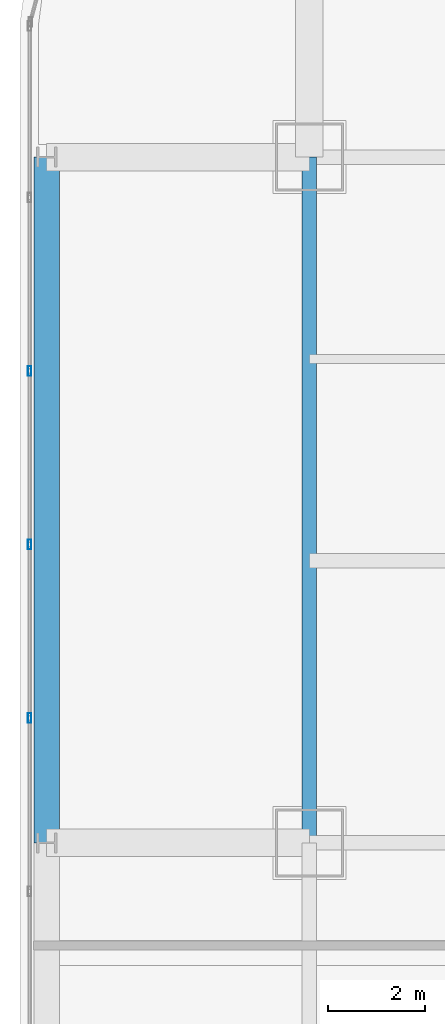
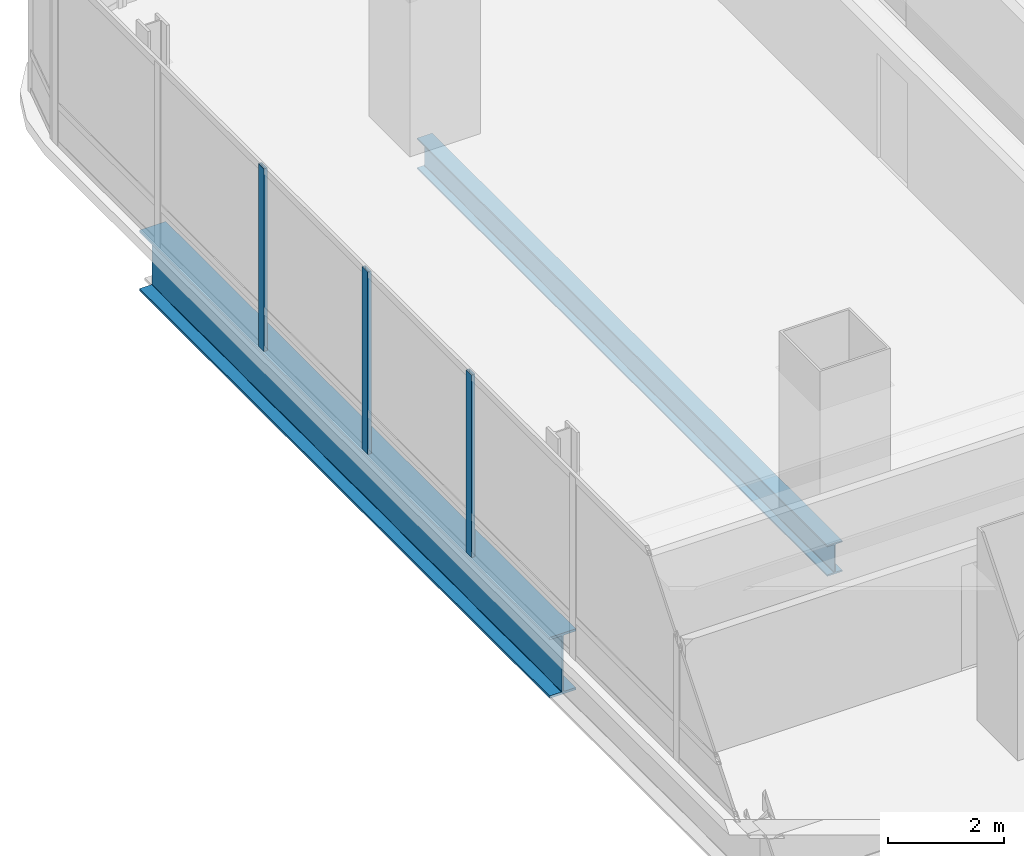
# One storey, part 12 of 37: 3 members, 2 beams, 1 element without a shape of its own.
"""IFC4 building model written with IfcOpenShell, lengths in metres."""

from ifc_helpers import new_model, si_unit, direction, frame, origin, origin_2d, place, context, subcontext, project, spatial, hollow_rectangle, i_section, extrude, material, material_profile, profile_set, type_object, element, aggregate, save


model = new_model("IFC4")

# Units and contexts
model_context = context("Model", 3, precision=1e-05, world=origin(), true_north=direction((0.0, 1.0)))
body_context = subcontext(model_context, "Body", "Model", "MODEL_VIEW")
ifc_project = project(units=[si_unit("LENGTHUNIT", "METRE"), si_unit("AREAUNIT", "SQUARE_METRE"), si_unit("VOLUMEUNIT", "CUBIC_METRE"), si_unit("PLANEANGLEUNIT", "RADIAN"), si_unit("MASSUNIT", "GRAM", prefix="KILO")], contexts=[model_context])

# Site, building, storey
site_placement = place(None, origin())
site = spatial("IfcSite", under=ifc_project, at=site_placement, CompositionType="ELEMENT")
building_placement = place(site_placement, origin())
building = spatial("IfcBuilding", under=site, at=building_placement, Name="Punatoya Terracotta Tower", CompositionType="ELEMENT")
storey_placement = place(building_placement, frame((0.0, 0.0, 164.10009765625)))
storey = spatial("IfcBuildingStorey", under=building, at=storey_placement, Name="L38", CompositionType="ELEMENT", Elevation=164.10009765625)

# Beams
ifc_material_1 = material(Name="Steel S355", Category="steel")
ifc_material_profile_1 = material_profile(ifc_material_1, i_section(OverallWidth=0.300048828125, OverallDepth=0.64990234375, WebThickness=0.01611328125, FlangeThickness=0.031005859375, FilletRadius=0.01806640625, at=origin_2d()))
ifc_profile_set_1 = profile_set([ifc_material_profile_1], Name="Steel S355")
beam_type_1 = type_object("IfcBeamType", Name="BM-PRI-650", PredefinedType="BEAM", material=ifc_profile_set_1)
beam_1_placement = place(storey_placement, frame((-19.10009765625, 3.39990234375, -0.545166015625), z_axis=(0.0, 1.0, 0.0), x_axis=(-1.0, 0.0, 0.0)))
element("IfcBeam", 1, at=beam_1_placement, inside=storey, type_object=beam_type_1, Name="BM-L38-RG-W3", PredefinedType="BEAM", context=body_context, shape_type="SweptSolid", body=[
    extrude(i_section(OverallWidth=0.300048828125, OverallDepth=0.64990234375, WebThickness=0.01611328125, FlangeThickness=0.031005859375, FilletRadius=0.01806640625, at=origin_2d()), origin(), (0.0, 0.0, 1.0), 14.10009765625),
])
ifc_material_2 = material(Name="Steel S460", Category="steel")
ifc_material_profile_2 = material_profile(ifc_material_2, i_section(OverallWidth=0.52001953125, OverallDepth=1.280029296875, WebThickness=0.031982421875, FlangeThickness=0.050048828125, FilletRadius=0.01806640625, at=origin_2d()))
ifc_profile_set_2 = profile_set([ifc_material_profile_2], Name="Steel S460")
beam_type_2 = type_object("IfcBeamType", Name="BM-TG-NCK", PredefinedType="BEAM", material=ifc_profile_set_2)
beam_2_placement = place(storey_placement, frame((-24.5, 3.39990234375, -0.860107421875), z_axis=(0.0, 1.0, 0.0), x_axis=(-1.0, 0.0, 0.0)))
element("IfcBeam", 2, at=beam_2_placement, inside=storey, type_object=beam_type_2, Name="BM-L38-PER-W3", PredefinedType="BEAM", context=body_context, shape_type="SweptSolid", body=[
    extrude(i_section(OverallWidth=0.52001953125, OverallDepth=1.280029296875, WebThickness=0.031982421875, FlangeThickness=0.050048828125, FilletRadius=0.01806640625, at=origin_2d()), origin(), (0.0, 0.0, 1.0), 14.10009765625),
])

# Curtain wall, members
ifc_material_3 = material(Name="Aluminium 6063-T6 + Double Low-E Glass", Category="aluminium")
curtain_wall_type = type_object("IfcCurtainWallType", Name="CW-M2", PredefinedType="NOTDEFINED", material=ifc_material_3)
curtain_wall_placement = place(storey_placement, origin())
curtain_wall = element("IfcCurtainWall", 3, at=curtain_wall_placement, inside=storey, type_object=curtain_wall_type, Name="L38 Curtain Wall CW-L38-W13-1", PredefinedType="NOTDEFINED")
ifc_material_4 = material(Name="Aluminium 6063-T6", Category="aluminium")
ifc_material_profile_3 = material_profile(ifc_material_4, hollow_rectangle(XDim=0.072021484375, YDim=0.195068359375, WallThickness=0.00439453125, at=origin_2d()))
ifc_profile_set_3 = profile_set([ifc_material_profile_3], Name="Aluminium 6063-T6")
member_type = type_object("IfcMemberType", Name="CW-MUL-M2", PredefinedType="MULLION", material=ifc_profile_set_3)
member_1_placement = place(storey_placement, frame((-24.85009765625, 13.10205078125, 0.0), z_axis=(0.0, 0.0, 1.0), x_axis=(1.0, 0.0, 0.0)))
member_1 = element("IfcMember", 4, at=member_1_placement, type_object=member_type, Name="CW-L38-W13-1 Mullion 02", PredefinedType="MULLION", context=body_context, shape_type="SweptSolid", body=[
    extrude(hollow_rectangle(XDim=0.072021484375, YDim=0.195068359375, WallThickness=0.00439453125, at=origin_2d()), origin(), (0.0, 0.0, 1.0), 3.829833984375),
])
member_2_placement = place(storey_placement, frame((-24.85009765625, 9.534912109375, 0.0), z_axis=(0.0, 0.0, 1.0), x_axis=(1.0, 0.0, 0.0)))
member_2 = element("IfcMember", 5, at=member_2_placement, type_object=member_type, Name="CW-L38-W13-1 Mullion 03", PredefinedType="MULLION", context=body_context, shape_type="SweptSolid", body=[
    extrude(hollow_rectangle(XDim=0.072021484375, YDim=0.195068359375, WallThickness=0.00439453125, at=origin_2d()), origin(), (0.0, 0.0, 1.0), 3.829833984375),
])
member_3_placement = place(storey_placement, frame((-24.85009765625, 5.96728515625, 0.0), z_axis=(0.0, 0.0, 1.0), x_axis=(1.0, 0.0, 0.0)))
member_3 = element("IfcMember", 6, at=member_3_placement, type_object=member_type, Name="CW-L38-W13-1 Mullion 04", PredefinedType="MULLION", context=body_context, shape_type="SweptSolid", body=[
    extrude(hollow_rectangle(XDim=0.072021484375, YDim=0.195068359375, WallThickness=0.00439453125, at=origin_2d()), origin(), (0.0, 0.0, 1.0), 3.829833984375),
])
aggregate(curtain_wall, [member_1, member_2, member_3])

save(model, "model.ifc")
